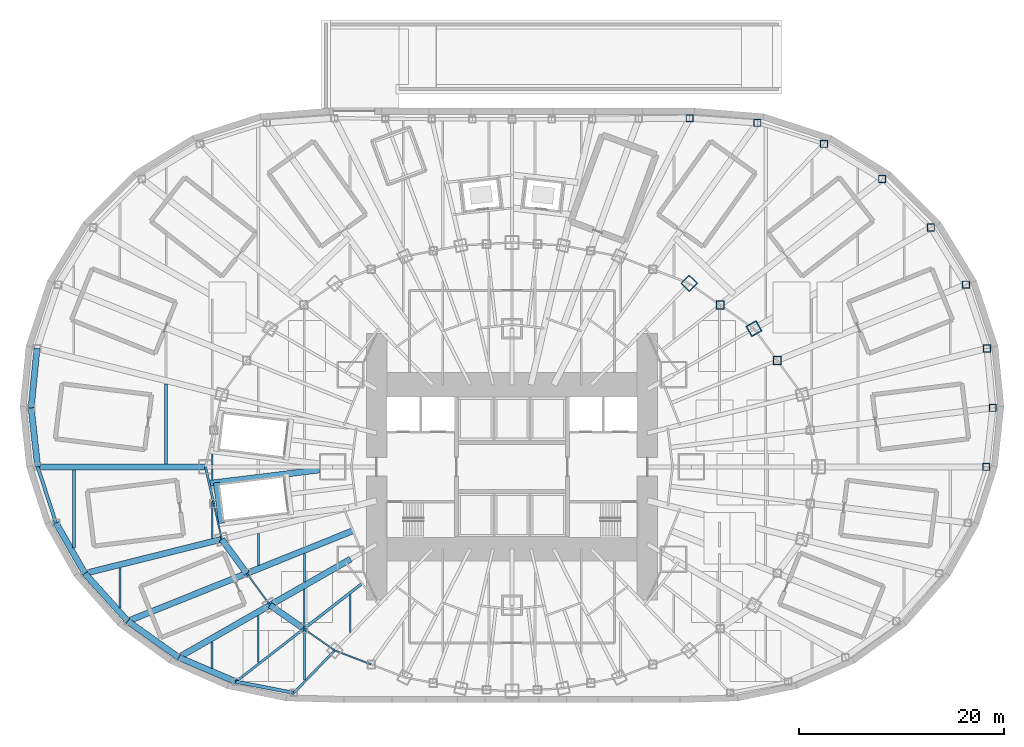
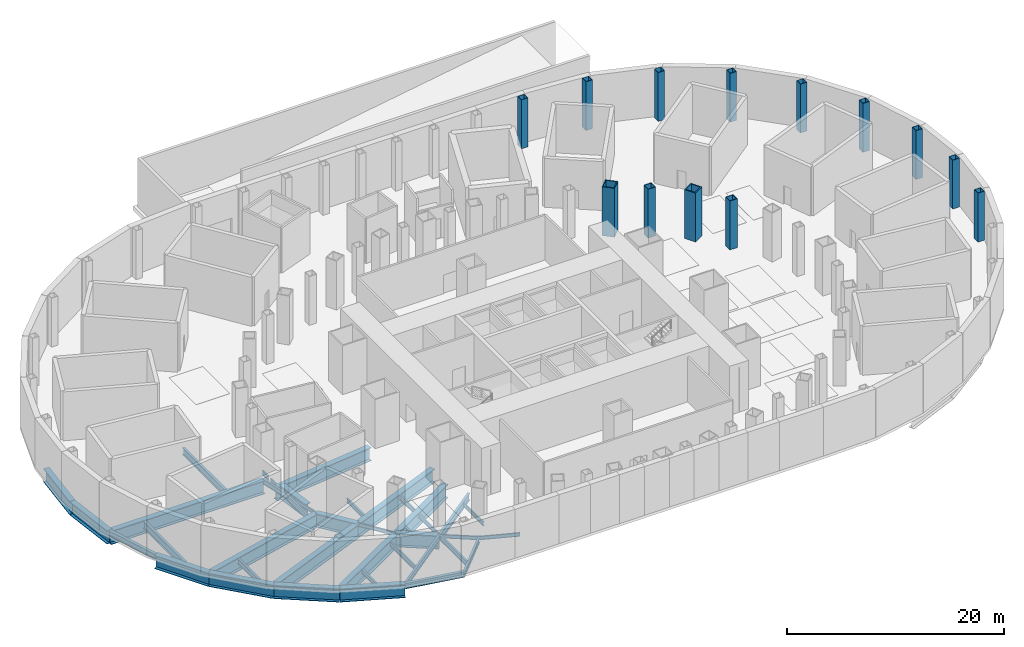
# One storey, part 2 of 19: 39 beams, 13 columns.
"""IFC4 building model written with IfcOpenShell, lengths in metres."""

from ifc_helpers import new_model, si_unit, direction, frame, origin, origin_2d, place, context, subcontext, project, spatial, rectangle, hollow_rectangle, i_section, extrude, material, material_profile, profile_set, type_object, element, save


model = new_model("IFC4")

# Units and contexts
model_context = context("Model", 3, precision=1e-05, world=origin(), true_north=direction((0.0, 1.0)))
body_context = subcontext(model_context, "Body", "Model", "MODEL_VIEW")
ifc_project = project(units=[si_unit("LENGTHUNIT", "METRE"), si_unit("AREAUNIT", "SQUARE_METRE"), si_unit("VOLUMEUNIT", "CUBIC_METRE"), si_unit("PLANEANGLEUNIT", "RADIAN"), si_unit("MASSUNIT", "GRAM", prefix="KILO")], contexts=[model_context])

# Site, building, storey
site_placement = place(None, origin())
site = spatial("IfcSite", under=ifc_project, at=site_placement, CompositionType="ELEMENT")
building_placement = place(site_placement, origin())
building = spatial("IfcBuilding", under=site, at=building_placement, Name="Lantaw Convention Tower", CompositionType="ELEMENT")
storey_placement = place(building_placement, frame((0.0, 0.0, -5.5)))
storey = spatial("IfcBuildingStorey", under=building, at=storey_placement, Name="B1", CompositionType="ELEMENT", Elevation=-5.5)

# Columns
ifc_material_1 = material(Name="Steel EN 10025-3 S460N", Category="steel")
ifc_material_profile_1 = material_profile(ifc_material_1, hollow_rectangle(XDim=1.199951171875, YDim=1.199951171875, WallThickness=0.10009765625, at=origin_2d()), Name="BOX1200X100")
ifc_material_2 = material(Name="Concrete C60/75", Category="concrete")
ifc_material_profile_2 = material_profile(ifc_material_2, rectangle(XDim=1.0, YDim=1.0, at=origin_2d()), Name="Concrete fill of BOX1200X100")
ifc_profile_set_1 = profile_set([ifc_material_profile_1, ifc_material_profile_2], Name="Steel EN 10025-3 S460N")
column_type_1 = type_object("IfcColumnType", Name="Column PC BOX1200X100", PredefinedType="COLUMN", material=ifc_profile_set_1)
column_1_placement = place(storey_placement, frame((17.290771484375, 17.9052734375, 0.0), z_axis=(0.0, 0.0, 1.0), x_axis=(0.694658370459, 0.719339800339, 0.0)))
element("IfcColumn", 1, at=column_1_placement, inside=storey, type_object=column_type_1, Name="Perimeter column P4", PredefinedType="COLUMN", context=body_context, shape_type="SweptSolid", body=[
    extrude(hollow_rectangle(XDim=1.199951171875, YDim=1.199951171875, WallThickness=0.10009765625, at=origin_2d()), origin(), (0.0, 0.0, 1.0), 5.5),
])
ifc_material_profile_3 = material_profile(ifc_material_1, hollow_rectangle(XDim=1.199951171875, YDim=1.199951171875, WallThickness=0.1201171875, at=origin_2d()), Name="BOX1200X120")
ifc_material_profile_4 = material_profile(ifc_material_2, rectangle(XDim=0.9599609375, YDim=0.9599609375, at=origin_2d()), Name="Concrete fill of BOX1200X120")
ifc_profile_set_2 = profile_set([ifc_material_profile_3, ifc_material_profile_4], Name="Steel EN 10025-3 S460N")
column_type_2 = type_object("IfcColumnType", Name="Column PC BOX1200X120", PredefinedType="COLUMN", material=ifc_profile_set_2)
column_2_placement = place(storey_placement, frame((23.60498046875, 13.488525390625, 0.0), z_axis=(0.0, 0.0, 1.0), x_axis=(0.86824298017, 0.496139221777, 0.0)))
element("IfcColumn", 2, at=column_2_placement, inside=storey, type_object=column_type_2, Name="Perimeter column P3", PredefinedType="COLUMN", context=body_context, shape_type="SweptSolid", body=[
    extrude(hollow_rectangle(XDim=1.199951171875, YDim=1.199951171875, WallThickness=0.1201171875, at=origin_2d()), origin(), (0.0, 0.0, 1.0), 5.5),
])
ifc_material_3 = material(Name="Steel ASTM A572 Grade 50", Category="steel")
ifc_material_profile_5 = material_profile(ifc_material_3, hollow_rectangle(XDim=0.800048828125, YDim=0.800048828125, WallThickness=0.050048828125, at=origin_2d()), Name="BOX800X50")
ifc_profile_set_3 = profile_set([ifc_material_profile_5], Name="Steel ASTM A572 Grade 50")
column_type_3 = type_object("IfcColumnType", Name="Column QC BOX800X50", PredefinedType="COLUMN", material=ifc_profile_set_3)
for number, where, z_axis, x_axis, name in (
    (3, (25.8779296875, 10.388427734375, 0.0), (0.0, 0.0, 1.0), (1.0, 0.0, 0.0), "Podium ring column Q2"),
    (4, (20.30859375, 15.794189453125, 0.0), (0.0, 0.0, 1.0), (1.0, 0.0, 0.0), "Podium ring column Q3"),
):
    element("IfcColumn", number, at=place(storey_placement, frame(where, z_axis=z_axis, x_axis=x_axis)), inside=storey, type_object=column_type_3, Name=name, PredefinedType="COLUMN", context=body_context, shape_type="SweptSolid", body=[
        extrude(hollow_rectangle(XDim=0.800048828125, YDim=0.800048828125, WallThickness=0.050048828125, at=origin_2d()), origin(), (0.0, 0.0, 1.0), 5.5),
    ])
ifc_material_profile_6 = material_profile(ifc_material_3, hollow_rectangle(XDim=0.699951171875, YDim=0.699951171875, WallThickness=0.0400390625, at=origin_2d()), Name="BOX700X40")
ifc_profile_set_4 = profile_set([ifc_material_profile_6], Name="Steel ASTM A572 Grade 50")
column_type_4 = type_object("IfcColumnType", Name="Column RC BOX700X40", PredefinedType="COLUMN", material=ifc_profile_set_4)
for number, where, z_axis, x_axis, name in (
    (5, (46.907958984375, 5.759521484375, 0.0), (0.0, 0.0, 1.0), (1.0, 0.0, 0.0), "Podium column B00"),
    (6, (44.29248046875, 17.78076171875, 0.0), (0.0, 0.0, 1.0), (1.0, 0.0, 0.0), "Podium column B01"),
    (7, (36.107666015625, 28.081298828125, 0.0), (0.0, 0.0, 1.0), (1.0, 0.0, 0.0), "Podium column B02"),
    (8, (23.940185546875, 33.562744140625, 0.0), (0.0, 0.0, 1.0), (1.0, 0.0, 0.0), "Podium column B03"),
    (9, (46.2724609375, 0.0, 0.0), (0.0, 0.0, 1.0), (1.0, 0.0, 0.0), "Podium column R00"),
    (10, (46.342529296875, 11.554443359375, 0.0), (0.0, 0.0, 1.0), (1.0, 0.0, 0.0), "Podium column R01"),
    (11, (40.864013671875, 23.350830078125, 0.0), (0.0, 0.0, 1.0), (1.0, 0.0, 0.0), "Podium column R02"),
    (12, (30.43603515625, 31.517578125, 0.0), (0.0, 0.0, 1.0), (1.0, 0.0, 0.0), "Podium column R03"),
    (13, (17.333984375, 34.019775390625, 0.0), (0.0, 0.0, 1.0), (1.0, 0.0, 0.0), "Podium column R04"),
):
    element("IfcColumn", number, at=place(storey_placement, frame(where, z_axis=z_axis, x_axis=x_axis)), inside=storey, type_object=column_type_4, Name=name, PredefinedType="COLUMN", context=body_context, shape_type="SweptSolid", body=[
        extrude(hollow_rectangle(XDim=0.699951171875, YDim=0.699951171875, WallThickness=0.0400390625, at=origin_2d()), origin(), (0.0, 0.0, 1.0), 5.5),
    ])

# Beams
ifc_material_profile_7 = material_profile(ifc_material_3, i_section(OverallWidth=0.60009765625, OverallDepth=1.5, WebThickness=0.02490234375, FlangeThickness=0.06005859375, at=origin_2d()), Name="PG1500X600X25X60")
ifc_profile_set_5 = profile_set([ifc_material_profile_7], Name="Steel ASTM A572 Grade 50")
beam_type_1 = type_object("IfcBeamType", Name="Beam E PG1500X600X25X60", PredefinedType="SPANDREL", material=ifc_profile_set_5)
beam_1_placement = place(storey_placement, frame((-28.31787109375, -7.060302734375, -1.050048828125), z_axis=(0.591255937291, -0.806483984105, 0.0), x_axis=(0.806483984105, 0.591255937291, 0.0)))
element("IfcBeam", 14, at=beam_1_placement, inside=storey, type_object=beam_type_1, Name="Edge beam 14", PredefinedType="SPANDREL", context=body_context, shape_type="SweptSolid", body=[
    extrude(i_section(OverallWidth=0.60009765625, OverallDepth=1.5, WebThickness=0.02490234375, FlangeThickness=0.06005859375, at=origin_2d()), origin(), (0.0, 0.0, 1.0), 4.126708984375),
])
beam_2_placement = place(storey_placement, frame((-23.60498046875, -13.488525390625, -1.050048828125), z_axis=(0.819442856133, -0.573160889744, 0.0), x_axis=(0.573160889744, 0.819442856133, 0.0)))
element("IfcBeam", 15, at=beam_2_placement, inside=storey, type_object=beam_type_1, Name="Edge beam 15", PredefinedType="SPANDREL", context=body_context, shape_type="SweptSolid", body=[
    extrude(i_section(OverallWidth=0.60009765625, OverallDepth=1.5, WebThickness=0.02490234375, FlangeThickness=0.06005859375, at=origin_2d()), origin(), (0.0, 0.0, 1.0), 4.022705078125),
])
beam_3_placement = place(storey_placement, frame((-46.342529296875, 11.554443359375, -1.050048828125), z_axis=(-0.097112121047, -0.995273447825, 0.0), x_axis=(0.995273447825, -0.097112121047, 0.0)))
element("IfcBeam", 16, at=beam_3_placement, inside=storey, type_object=beam_type_1, Name="Podium edge beam R11", PredefinedType="SPANDREL", context=body_context, shape_type="SweptSolid", body=[
    extrude(i_section(OverallWidth=0.60009765625, OverallDepth=1.5, WebThickness=0.02490234375, FlangeThickness=0.06005859375, at=origin_2d()), origin(), (0.0, 0.0, 1.0), 5.822509765625),
])
beam_4_placement = place(storey_placement, frame((-46.907958984375, 5.759521484375, -1.050048828125), z_axis=(0.109673093737, -0.993967712006, 0.0), x_axis=(0.993967712006, 0.109673093737, 0.0)))
element("IfcBeam", 17, at=beam_4_placement, inside=storey, type_object=beam_type_1, Name="Podium edge beam B11", PredefinedType="SPANDREL", context=body_context, shape_type="SweptSolid", body=[
    extrude(i_section(OverallWidth=0.60009765625, OverallDepth=1.5, WebThickness=0.02490234375, FlangeThickness=0.06005859375, at=origin_2d()), origin(), (0.0, 0.0, 1.0), 5.79443359375),
])
beam_5_placement = place(storey_placement, frame((-44.488525390625, -5.46240234375, -1.050048828125), z_axis=(0.496180629465, -0.868219317306, 0.0), x_axis=(0.868219317306, 0.496180629465, 0.0)))
element("IfcBeam", 18, at=beam_5_placement, inside=storey, type_object=beam_type_1, Name="Podium edge beam B12", PredefinedType="SPANDREL", context=body_context, shape_type="SweptSolid", body=[
    extrude(i_section(OverallWidth=0.60009765625, OverallDepth=1.5, WebThickness=0.02490234375, FlangeThickness=0.06005859375, at=origin_2d()), origin(), (0.0, 0.0, 1.0), 5.67578125),
])
beam_6_placement = place(storey_placement, frame((-41.67236328125, -10.39013671875, -1.050048828125), z_axis=(0.668363614772, -0.74383471178, 0.0), x_axis=(0.74383471178, 0.668363614772, 0.0)))
element("IfcBeam", 19, at=beam_6_placement, inside=storey, type_object=beam_type_1, Name="Podium edge beam R13", PredefinedType="SPANDREL", context=body_context, shape_type="SweptSolid", body=[
    extrude(i_section(OverallWidth=0.60009765625, OverallDepth=1.5, WebThickness=0.02490234375, FlangeThickness=0.06005859375, at=origin_2d()), origin(), (0.0, 0.0, 1.0), 6.2626953125),
])
beam_7_placement = place(storey_placement, frame((-37.486572265625, -15.048583984375, -1.050048828125), z_axis=(0.814722795246, -0.579850641895, 0.0), x_axis=(0.579850641895, 0.814722795246, 0.0)))
element("IfcBeam", 20, at=beam_7_placement, inside=storey, type_object=beam_type_1, Name="Podium edge beam B13", PredefinedType="SPANDREL", context=body_context, shape_type="SweptSolid", body=[
    extrude(i_section(OverallWidth=0.60009765625, OverallDepth=1.5, WebThickness=0.02490234375, FlangeThickness=0.06005859375, at=origin_2d()), origin(), (0.0, 0.0, 1.0), 6.095458984375),
])
beam_8_placement = place(storey_placement, frame((-32.5205078125, -18.5830078125, -1.050048828125), z_axis=(0.920324392734, -0.391155994636, 0.0), x_axis=(0.391155994636, 0.920324392734, 0.0)))
element("IfcBeam", 21, at=beam_8_placement, inside=storey, type_object=beam_type_1, Name="Podium edge beam R14", PredefinedType="SPANDREL", context=body_context, shape_type="SweptSolid", body=[
    extrude(i_section(OverallWidth=0.60009765625, OverallDepth=1.5, WebThickness=0.02490234375, FlangeThickness=0.06005859375, at=origin_2d()), origin(), (0.0, 0.0, 1.0), 6.060546875),
])
ifc_material_4 = material(Name="Steel ASTM A992", Category="steel")
ifc_material_profile_8 = material_profile(ifc_material_4, i_section(OverallWidth=0.140380859375, OverallDepth=0.40380859375, WebThickness=0.007080078125, FlangeThickness=0.01123046875, FilletRadius=0.01025390625, at=origin_2d()), Name="W16X31")
ifc_profile_set_6 = profile_set([ifc_material_profile_8], Name="Steel ASTM A992")
beam_type_2 = type_object("IfcBeamType", Name="Beam E W16X31", PredefinedType="SPANDREL", material=ifc_profile_set_6)
beam_9_placement = place(storey_placement, frame((-29.099365234375, -3.572998046875, -0.501953125), z_axis=(0.218673326171, -0.97579812278, 0.0), x_axis=(0.97579812278, 0.218673326171, 0.0)))
element("IfcBeam", 22, at=beam_9_placement, inside=storey, type_object=beam_type_2, Name="Edge beam 13", PredefinedType="SPANDREL", context=body_context, shape_type="SweptSolid", body=[
    extrude(i_section(OverallWidth=0.140380859375, OverallDepth=0.40380859375, WebThickness=0.007080078125, FlangeThickness=0.01123046875, FilletRadius=0.01025390625, at=origin_2d()), origin(), (0.0, 0.0, 1.0), 3.57373046875),
])
beam_10_placement = place(storey_placement, frame((-25.8779296875, -10.388427734375, -0.501953125), z_axis=(0.591286566758, -0.806461527893, 0.0), x_axis=(0.806461527893, 0.591286566758, 0.0)))
element("IfcBeam", 23, at=beam_10_placement, inside=storey, type_object=beam_type_2, Name="Edge beam 14", PredefinedType="SPANDREL", context=body_context, shape_type="SweptSolid", body=[
    extrude(i_section(OverallWidth=0.140380859375, OverallDepth=0.40380859375, WebThickness=0.007080078125, FlangeThickness=0.01123046875, FilletRadius=0.01025390625, at=origin_2d()), origin(), (0.0, 0.0, 1.0), 3.843994140625),
])
beam_11_placement = place(storey_placement, frame((-20.30859375, -15.794189453125, -0.501953125), z_axis=(0.819409395821, -0.573208724672, 0.0), x_axis=(0.573208724672, 0.819409395821, 0.0)))
element("IfcBeam", 24, at=beam_11_placement, inside=storey, type_object=beam_type_2, Name="Edge beam 15", PredefinedType="SPANDREL", context=body_context, shape_type="SweptSolid", body=[
    extrude(i_section(OverallWidth=0.140380859375, OverallDepth=0.40380859375, WebThickness=0.007080078125, FlangeThickness=0.01123046875, FilletRadius=0.01025390625, at=origin_2d()), origin(), (0.0, 0.0, 1.0), 3.682861328125),
])
beam_12_placement = place(storey_placement, frame((-17.290771484375, -17.9052734375, -0.501953125), z_axis=(0.933224646415, -0.359293416754, 0.0), x_axis=(0.359293416754, 0.933224646415, 0.0)))
element("IfcBeam", 25, at=beam_12_placement, inside=storey, type_object=beam_type_2, Name="Edge beam 16", PredefinedType="SPANDREL", context=body_context, shape_type="SweptSolid", body=[
    extrude(i_section(OverallWidth=0.140380859375, OverallDepth=0.40380859375, WebThickness=0.007080078125, FlangeThickness=0.01123046875, FilletRadius=0.01025390625, at=origin_2d()), origin(), (0.0, 0.0, 1.0), 3.799072265625),
])
ifc_material_profile_9 = material_profile(ifc_material_4, i_section(OverallWidth=0.2099609375, OverallDepth=0.535888671875, WebThickness=0.010986328125, FlangeThickness=0.017333984375, FilletRadius=0.012939453125, at=origin_2d()), Name="W21X68")
ifc_profile_set_7 = profile_set([ifc_material_profile_9], Name="Steel ASTM A992")
beam_type_3 = type_object("IfcBeamType", Name="Beam E W21X68", PredefinedType="SPANDREL", material=ifc_profile_set_7)
beam_13_placement = place(storey_placement, frame((-29.89990234375, 0.0, -0.56787109375), z_axis=(0.218631550323, -0.975807483679, 0.0), x_axis=(0.975807483679, 0.218631550323, 0.0)))
element("IfcBeam", 26, at=beam_13_placement, inside=storey, type_object=beam_type_3, Name="Edge beam 13", PredefinedType="SPANDREL", context=body_context, shape_type="SweptSolid", body=[
    extrude(i_section(OverallWidth=0.2099609375, OverallDepth=0.535888671875, WebThickness=0.010986328125, FlangeThickness=0.017333984375, FilletRadius=0.012939453125, at=origin_2d()), origin(), (0.0, 0.0, 1.0), 3.66162109375),
])
ifc_material_profile_10 = material_profile(ifc_material_4, i_section(OverallWidth=0.3251953125, OverallDepth=0.612060546875, WebThickness=0.0126953125, FlangeThickness=0.01904296875, FilletRadius=0.0126953125, at=origin_2d()), Name="W24X104")
ifc_profile_set_8 = profile_set([ifc_material_profile_10], Name="Steel ASTM A992")
beam_type_4 = type_object("IfcBeamType", Name="Beam E W24X104", PredefinedType="SPANDREL", material=ifc_profile_set_8)
beam_14_placement = place(storey_placement, frame((-46.2724609375, 0.0, -0.60595703125), z_axis=(0.310448009473, -0.950590360468, 0.0), x_axis=(0.950590360468, 0.310448009473, 0.0)))
element("IfcBeam", 27, at=beam_14_placement, inside=storey, type_object=beam_type_4, Name="Podium edge beam R12", PredefinedType="SPANDREL", context=body_context, shape_type="SweptSolid", body=[
    extrude(i_section(OverallWidth=0.3251953125, OverallDepth=0.612060546875, WebThickness=0.0126953125, FlangeThickness=0.01904296875, FilletRadius=0.0126953125, at=origin_2d()), origin(), (0.0, 0.0, 1.0), 5.746337890625),
])
beam_15_placement = place(storey_placement, frame((-26.94287109375, -20.95361328125, -0.60595703125), z_axis=(0.981786485539, -0.18998762279, 0.0), x_axis=(0.18998762279, 0.981786485539, 0.0)))
element("IfcBeam", 28, at=beam_15_placement, inside=storey, type_object=beam_type_4, Name="Podium edge beam B14", PredefinedType="SPANDREL", context=body_context, shape_type="SweptSolid", body=[
    extrude(i_section(OverallWidth=0.3251953125, OverallDepth=0.612060546875, WebThickness=0.0126953125, FlangeThickness=0.01904296875, FilletRadius=0.0126953125, at=origin_2d()), origin(), (0.0, 0.0, 1.0), 5.7568359375),
])
ifc_material_profile_11 = material_profile(ifc_material_3, i_section(OverallWidth=0.60009765625, OverallDepth=1.5, WebThickness=0.02490234375, FlangeThickness=0.06005859375, at=origin_2d()), Name="PG1500X600X25X60")
ifc_profile_set_9 = profile_set([ifc_material_profile_11], Name="Steel ASTM A572 Grade 50")
beam_type_5 = type_object("IfcBeamType", Name="Beam G PG1500X600X25X60", PredefinedType="BEAM", material=ifc_profile_set_9)
beam_16_placement = place(storey_placement, frame((-15.52001953125, -6.23046875, -1.050048828125), z_axis=(-0.928018900171, -0.372533113864, 0.0), x_axis=(0.372533113864, -0.928018900171, 0.0)))
element("IfcBeam", 29, at=beam_16_placement, inside=storey, type_object=beam_type_5, Name="Floor girder on bisector 14", PredefinedType="BEAM", context=body_context, shape_type="SweptSolid", body=[
    extrude(i_section(OverallWidth=0.60009765625, OverallDepth=1.5, WebThickness=0.02490234375, FlangeThickness=0.06005859375, at=origin_2d()), origin(), (0.0, 0.0, 1.0), 11.161376953125),
])
beam_17_placement = place(storey_placement, frame((-15.75, -9.0, -1.050048828125), z_axis=(-0.868244802791, -0.496136032179, 0.0), x_axis=(0.496136032179, -0.868244802791, 0.0)))
element("IfcBeam", 30, at=beam_17_placement, inside=storey, type_object=beam_type_5, Name="Floor girder on ray 15", PredefinedType="BEAM", context=body_context, shape_type="SweptSolid", body=[
    extrude(i_section(OverallWidth=0.60009765625, OverallDepth=1.5, WebThickness=0.02490234375, FlangeThickness=0.06005859375, at=origin_2d()), origin(), (0.0, 0.0, 1.0), 9.046875),
])
ifc_material_profile_12 = material_profile(ifc_material_4, i_section(OverallWidth=0.2666015625, OverallDepth=0.76953125, WebThickness=0.015625, FlangeThickness=0.025390625, FilletRadius=0.0126953125, at=origin_2d()), Name="W30X132")
ifc_profile_set_10 = profile_set([ifc_material_profile_12], Name="Steel ASTM A992")
beam_type_6 = type_object("IfcBeamType", Name="Beam G W30X132", PredefinedType="BEAM", material=ifc_profile_set_10)
beam_18_placement = place(storey_placement, frame((-14.628173828125, -11.37646484375, -0.684814453125), z_axis=(-0.789377792374, -0.613907729961, 0.0), x_axis=(0.613907729961, -0.789377792374, 0.0)))
element("IfcBeam", 31, at=beam_18_placement, inside=storey, type_object=beam_type_6, Name="Floor girder on bisector 15", PredefinedType="BEAM", context=body_context, shape_type="SweptSolid", body=[
    extrude(i_section(OverallWidth=0.2666015625, OverallDepth=0.76953125, WebThickness=0.015625, FlangeThickness=0.025390625, FilletRadius=0.0126953125, at=origin_2d()), origin(), (0.0, 0.0, 1.0), 7.196044921875),
])
ifc_material_profile_13 = material_profile(ifc_material_4, i_section(OverallWidth=0.15234375, OverallDepth=0.449462890625, WebThickness=0.007568359375, FlangeThickness=0.0107421875, FilletRadius=0.01025390625, at=origin_2d()), Name="W18X35")
ifc_profile_set_11 = profile_set([ifc_material_profile_13], Name="Steel ASTM A992")
beam_type_7 = type_object("IfcBeamType", Name="Beam J W18X35", PredefinedType="JOIST", material=ifc_profile_set_11)
beam_19_placement = place(storey_placement, frame((-29.25, -1.274169921875, -0.52490234375), z_axis=(0.0, 1.0, 0.0), x_axis=(-1.0, 0.0, 0.0)))
element("IfcBeam", 32, at=beam_19_placement, inside=storey, type_object=beam_type_7, Name="Floor joist", PredefinedType="JOIST", context=body_context, shape_type="SweptSolid", body=[
    extrude(i_section(OverallWidth=0.15234375, OverallDepth=0.449462890625, WebThickness=0.007568359375, FlangeThickness=0.0107421875, FilletRadius=0.01025390625, at=origin_2d()), origin(), (0.0, 0.0, 1.0), 1.072265625),
])
beam_20_placement = place(storey_placement, frame((-20.25, -15.57958984375, -0.52490234375), z_axis=(0.0, 1.0, 0.0), x_axis=(-1.0, 0.0, 0.0)))
element("IfcBeam", 33, at=beam_20_placement, inside=storey, type_object=beam_type_7, Name="Floor joist", PredefinedType="JOIST", context=body_context, shape_type="SweptSolid", body=[
    extrude(i_section(OverallWidth=0.15234375, OverallDepth=0.449462890625, WebThickness=0.007568359375, FlangeThickness=0.0107421875, FilletRadius=0.01025390625, at=origin_2d()), origin(), (0.0, 0.0, 1.0), 3.66259765625),
])
beam_21_placement = place(storey_placement, frame((-15.800048828125, -16.151123046875, -0.52490234375), z_axis=(0.0, 1.0, 0.0), x_axis=(-1.0, 0.0, 0.0)))
element("IfcBeam", 34, at=beam_21_placement, inside=storey, type_object=beam_type_7, Name="Floor joist", PredefinedType="JOIST", context=body_context, shape_type="SweptSolid", body=[
    extrude(i_section(OverallWidth=0.15234375, OverallDepth=0.449462890625, WebThickness=0.007568359375, FlangeThickness=0.0107421875, FilletRadius=0.01025390625, at=origin_2d()), origin(), (0.0, 0.0, 1.0), 3.6943359375),
])
ifc_material_profile_14 = material_profile(ifc_material_4, i_section(OverallWidth=0.1904296875, OverallDepth=0.457275390625, WebThickness=0.009033203125, FlangeThickness=0.014404296875, FilletRadius=0.01025390625, at=origin_2d()), Name="W18X50")
ifc_profile_set_12 = profile_set([ifc_material_profile_14], Name="Steel ASTM A992")
beam_type_8 = type_object("IfcBeamType", Name="Beam J W18X50", PredefinedType="JOIST", material=ifc_profile_set_12)
beam_22_placement = place(storey_placement, frame((-29.25, -19.647216796875, -0.528564453125), z_axis=(0.0, 1.0, 0.0), x_axis=(-1.0, 0.0, 0.0)))
element("IfcBeam", 35, at=beam_22_placement, inside=storey, type_object=beam_type_8, Name="Floor joist", PredefinedType="JOIST", context=body_context, shape_type="SweptSolid", body=[
    extrude(i_section(OverallWidth=0.1904296875, OverallDepth=0.457275390625, WebThickness=0.009033203125, FlangeThickness=0.014404296875, FilletRadius=0.01025390625, at=origin_2d()), origin(), (0.0, 0.0, 1.0), 2.58740234375),
])
beam_23_placement = place(storey_placement, frame((-24.75, -9.6123046875, -0.528564453125), z_axis=(0.0, 1.0, 0.0), x_axis=(-1.0, 0.0, 0.0)))
element("IfcBeam", 36, at=beam_23_placement, inside=storey, type_object=beam_type_8, Name="Floor joist", PredefinedType="JOIST", context=body_context, shape_type="SweptSolid", body=[
    extrude(i_section(OverallWidth=0.1904296875, OverallDepth=0.457275390625, WebThickness=0.009033203125, FlangeThickness=0.014404296875, FilletRadius=0.01025390625, at=origin_2d()), origin(), (0.0, 0.0, 1.0), 3.13232421875),
])
ifc_material_profile_15 = material_profile(ifc_material_4, i_section(OverallWidth=0.1650390625, OverallDepth=0.52587890625, WebThickness=0.0087890625, FlangeThickness=0.011474609375, FilletRadius=0.0126953125, at=origin_2d()), Name="W21X44")
ifc_profile_set_13 = profile_set([ifc_material_profile_15], Name="Steel ASTM A992")
beam_type_9 = type_object("IfcBeamType", Name="Beam J W21X44", PredefinedType="JOIST", material=ifc_profile_set_13)
beam_24_placement = place(storey_placement, frame((-29.25, 0.201904296875, -0.56298828125), z_axis=(0.0, 1.0, 0.0), x_axis=(-1.0, 0.0, 0.0)))
element("IfcBeam", 37, at=beam_24_placement, inside=storey, type_object=beam_type_9, Name="Floor joist", PredefinedType="JOIST", context=body_context, shape_type="SweptSolid", body=[
    extrude(i_section(OverallWidth=0.1650390625, OverallDepth=0.52587890625, WebThickness=0.0087890625, FlangeThickness=0.011474609375, FilletRadius=0.0126953125, at=origin_2d()), origin(), (0.0, 0.0, 1.0), 1.072265625),
])
beam_25_placement = place(storey_placement, frame((-24.75, -19.10400390625, -0.56298828125), z_axis=(0.0, 1.0, 0.0), x_axis=(-1.0, 0.0, 0.0)))
element("IfcBeam", 38, at=beam_25_placement, inside=storey, type_object=beam_type_9, Name="Floor joist", PredefinedType="JOIST", context=body_context, shape_type="SweptSolid", body=[
    extrude(i_section(OverallWidth=0.1650390625, OverallDepth=0.52587890625, WebThickness=0.0087890625, FlangeThickness=0.011474609375, FilletRadius=0.0126953125, at=origin_2d()), origin(), (0.0, 0.0, 1.0), 4.61572265625),
])
beam_26_placement = place(storey_placement, frame((-20.25, -11.225830078125, -0.56298828125), z_axis=(0.0, 1.0, 0.0), x_axis=(-1.0, 0.0, 0.0)))
element("IfcBeam", 39, at=beam_26_placement, inside=storey, type_object=beam_type_9, Name="Floor joist", PredefinedType="JOIST", context=body_context, shape_type="SweptSolid", body=[
    extrude(i_section(OverallWidth=0.1650390625, OverallDepth=0.52587890625, WebThickness=0.0087890625, FlangeThickness=0.011474609375, FilletRadius=0.0126953125, at=origin_2d()), origin(), (0.0, 0.0, 1.0), 2.7734375),
])
ifc_material_profile_16 = material_profile(ifc_material_4, i_section(OverallWidth=0.177978515625, OverallDepth=0.599365234375, WebThickness=0.010009765625, FlangeThickness=0.012939453125, FilletRadius=0.012939453125, at=origin_2d()), Name="W24X55")
ifc_profile_set_14 = profile_set([ifc_material_profile_16], Name="Steel ASTM A992")
beam_type_10 = type_object("IfcBeamType", Name="Beam J W24X55", PredefinedType="JOIST", material=ifc_profile_set_14)
beam_27_placement = place(storey_placement, frame((-29.25, -6.983642578125, -0.599609375), z_axis=(0.0, 1.0, 0.0), x_axis=(-1.0, 0.0, 0.0)))
element("IfcBeam", 40, at=beam_27_placement, inside=storey, type_object=beam_type_10, Name="Floor joist", PredefinedType="JOIST", context=body_context, shape_type="SweptSolid", body=[
    extrude(i_section(OverallWidth=0.177978515625, OverallDepth=0.599365234375, WebThickness=0.010009765625, FlangeThickness=0.012939453125, FilletRadius=0.012939453125, at=origin_2d()), origin(), (0.0, 0.0, 1.0), 3.602783203125),
])
beam_28_placement = place(storey_placement, frame((-20.25, -20.805419921875, -0.599609375), z_axis=(0.0, 1.0, 0.0), x_axis=(-1.0, 0.0, 0.0)))
element("IfcBeam", 41, at=beam_28_placement, inside=storey, type_object=beam_type_10, Name="Floor joist", PredefinedType="JOIST", context=body_context, shape_type="SweptSolid", body=[
    extrude(i_section(OverallWidth=0.177978515625, OverallDepth=0.599365234375, WebThickness=0.010009765625, FlangeThickness=0.012939453125, FilletRadius=0.012939453125, at=origin_2d()), origin(), (0.0, 0.0, 1.0), 4.884521484375),
])
ifc_material_profile_17 = material_profile(ifc_material_4, i_section(OverallWidth=0.22900390625, OverallDepth=0.612060546875, WebThickness=0.011962890625, FlangeThickness=0.01953125, FilletRadius=0.0126953125, at=origin_2d()), Name="W24X84")
ifc_profile_set_15 = profile_set([ifc_material_profile_17], Name="Steel ASTM A992")
beam_type_11 = type_object("IfcBeamType", Name="Beam J W24X84", PredefinedType="JOIST", material=ifc_profile_set_15)
beam_29_placement = place(storey_placement, frame((-38.25, -13.75, -0.60595703125), z_axis=(0.0, 1.0, 0.0), x_axis=(-1.0, 0.0, 0.0)))
element("IfcBeam", 42, at=beam_29_placement, inside=storey, type_object=beam_type_11, Name="Floor joist", PredefinedType="JOIST", context=body_context, shape_type="SweptSolid", body=[
    extrude(i_section(OverallWidth=0.22900390625, OverallDepth=0.612060546875, WebThickness=0.011962890625, FlangeThickness=0.01953125, FilletRadius=0.0126953125, at=origin_2d()), origin(), (0.0, 0.0, 1.0), 3.904052734375),
])
ifc_material_profile_18 = material_profile(ifc_material_4, i_section(OverallWidth=0.2666015625, OverallDepth=0.76953125, WebThickness=0.015625, FlangeThickness=0.025390625, FilletRadius=0.0126953125, at=origin_2d()), Name="W30X132")
ifc_profile_set_16 = profile_set([ifc_material_profile_18], Name="Steel ASTM A992")
beam_type_12 = type_object("IfcBeamType", Name="Beam J W30X132", PredefinedType="JOIST", material=ifc_profile_set_16)
beam_30_placement = place(storey_placement, frame((-33.75, 0.300048828125, -0.684814453125), z_axis=(0.0, 1.0, 0.0), x_axis=(-1.0, 0.0, 0.0)))
element("IfcBeam", 43, at=beam_30_placement, inside=storey, type_object=beam_type_12, Name="Floor joist", PredefinedType="JOIST", context=body_context, shape_type="SweptSolid", body=[
    extrude(i_section(OverallWidth=0.2666015625, OverallDepth=0.76953125, WebThickness=0.015625, FlangeThickness=0.025390625, FilletRadius=0.0126953125, at=origin_2d()), origin(), (0.0, 0.0, 1.0), 7.8056640625),
])
ifc_material_profile_19 = material_profile(ifc_material_4, i_section(OverallWidth=0.2919921875, OverallDepth=0.845703125, WebThickness=0.015380859375, FlangeThickness=0.0244140625, FilletRadius=0.01513671875, at=origin_2d()), Name="W33X141")
ifc_profile_set_17 = profile_set([ifc_material_profile_19], Name="Steel ASTM A992")
beam_type_13 = type_object("IfcBeamType", Name="Beam J W33X141", PredefinedType="JOIST", material=ifc_profile_set_17)
beam_31_placement = place(storey_placement, frame((-42.75, -7.89990234375, -0.722900390625), z_axis=(0.0, 1.0, 0.0), x_axis=(-1.0, 0.0, 0.0)))
element("IfcBeam", 44, at=beam_31_placement, inside=storey, type_object=beam_type_13, Name="Floor joist", PredefinedType="JOIST", context=body_context, shape_type="SweptSolid", body=[
    extrude(i_section(OverallWidth=0.2919921875, OverallDepth=0.845703125, WebThickness=0.015380859375, FlangeThickness=0.0244140625, FilletRadius=0.01513671875, at=origin_2d()), origin(), (0.0, 0.0, 1.0), 7.599853515625),
])
ifc_material_profile_20 = material_profile(ifc_material_3, i_section(OverallWidth=0.60009765625, OverallDepth=1.5, WebThickness=0.02490234375, FlangeThickness=0.06005859375, at=origin_2d()), Name="PG1500X600X25X60")
ifc_profile_set_18 = profile_set([ifc_material_profile_20], Name="Steel ASTM A572 Grade 50")
beam_type_14 = type_object("IfcBeamType", Name="Beam PG PG1500X600X25X60", PredefinedType="BEAM", material=ifc_profile_set_18)
beam_32_placement = place(storey_placement, frame((-29.89990234375, 0.0, -1.050048828125), z_axis=(-1.0, 0.0, 0.0), x_axis=(0.0, -1.0, 0.0)))
element("IfcBeam", 45, at=beam_32_placement, inside=storey, type_object=beam_type_14, Name="Podium girder PR13", PredefinedType="BEAM", context=body_context, shape_type="SweptSolid", body=[
    extrude(i_section(OverallWidth=0.60009765625, OverallDepth=1.5, WebThickness=0.02490234375, FlangeThickness=0.06005859375, at=origin_2d()), origin(), (0.0, 0.0, 1.0), 16.37255859375),
])
beam_33_placement = place(storey_placement, frame((-28.31787109375, -7.060302734375, -1.050048828125), z_axis=(-0.97029256898, -0.24193455847, 0.0), x_axis=(0.24193455847, -0.97029256898, 0.0)))
element("IfcBeam", 46, at=beam_33_placement, inside=storey, type_object=beam_type_14, Name="Podium girder PR14", PredefinedType="BEAM", context=body_context, shape_type="SweptSolid", body=[
    extrude(i_section(OverallWidth=0.60009765625, OverallDepth=1.5, WebThickness=0.02490234375, FlangeThickness=0.06005859375, at=origin_2d()), origin(), (0.0, 0.0, 1.0), 13.763427734375),
])
beam_34_placement = place(storey_placement, frame((-23.60498046875, -13.488525390625, -1.050048828125), z_axis=(-0.868247531483, -0.4961312569, 0.0), x_axis=(0.4961312569, -0.868247531483, 0.0)))
element("IfcBeam", 47, at=beam_34_placement, inside=storey, type_object=beam_type_14, Name="Podium girder PR15", PredefinedType="BEAM", context=body_context, shape_type="SweptSolid", body=[
    extrude(i_section(OverallWidth=0.60009765625, OverallDepth=1.5, WebThickness=0.02490234375, FlangeThickness=0.06005859375, at=origin_2d()), origin(), (0.0, 0.0, 1.0), 10.268310546875),
])
beam_35_placement = place(storey_placement, frame((-25.8779296875, -10.388427734375, -1.050048828125), z_axis=(-0.928015644767, -0.372541223313, 0.0), x_axis=(0.372541223313, -0.928015644767, 0.0)))
element("IfcBeam", 48, at=beam_35_placement, inside=storey, type_object=beam_type_14, Name="Podium girder PB14", PredefinedType="BEAM", context=body_context, shape_type="SweptSolid", body=[
    extrude(i_section(OverallWidth=0.60009765625, OverallDepth=1.5, WebThickness=0.02490234375, FlangeThickness=0.06005859375, at=origin_2d()), origin(), (0.0, 0.0, 1.0), 12.509033203125),
])
ifc_material_profile_21 = material_profile(ifc_material_4, i_section(OverallWidth=0.227783203125, OverallDepth=0.60205078125, WebThickness=0.010498046875, FlangeThickness=0.014892578125, FilletRadius=0.012939453125, at=origin_2d()), Name="W24X68")
ifc_profile_set_19 = profile_set([ifc_material_profile_21], Name="Steel ASTM A992")
beam_type_15 = type_object("IfcBeamType", Name="Beam PG W24X68", PredefinedType="BEAM", material=ifc_profile_set_19)
beam_36_placement = place(storey_placement, frame((-17.290771484375, -17.9052734375, -0.60107421875), z_axis=(-0.694661096328, -0.719337167987, 0.0), x_axis=(0.719337167987, -0.694661096328, 0.0)))
element("IfcBeam", 49, at=beam_36_placement, inside=storey, type_object=beam_type_15, Name="Podium girder PR16", PredefinedType="BEAM", context=body_context, shape_type="SweptSolid", body=[
    extrude(i_section(OverallWidth=0.227783203125, OverallDepth=0.60205078125, WebThickness=0.010498046875, FlangeThickness=0.014892578125, FilletRadius=0.012939453125, at=origin_2d()), origin(), (0.0, 0.0, 1.0), 5.75830078125),
])
beam_37_placement = place(storey_placement, frame((-20.30859375, -15.794189453125, -0.60107421875), z_axis=(-0.789385064276, -0.613898379456, 0.0), x_axis=(0.613898379456, -0.789385064276, 0.0)))
element("IfcBeam", 50, at=beam_37_placement, inside=storey, type_object=beam_type_15, Name="Podium girder PB15", PredefinedType="BEAM", context=body_context, shape_type="SweptSolid", body=[
    extrude(i_section(OverallWidth=0.227783203125, OverallDepth=0.60205078125, WebThickness=0.010498046875, FlangeThickness=0.014892578125, FilletRadius=0.012939453125, at=origin_2d()), origin(), (0.0, 0.0, 1.0), 8.404296875),
])
ifc_material_profile_22 = material_profile(ifc_material_3, i_section(OverallWidth=0.60009765625, OverallDepth=1.5, WebThickness=0.02490234375, FlangeThickness=0.06005859375, at=origin_2d()), Name="PG1500X600X25X60")
ifc_profile_set_20 = profile_set([ifc_material_profile_22], Name="Steel ASTM A572 Grade 50")
beam_type_16 = type_object("IfcBeamType", Name="Beam TR PG1500X600X25X60", PredefinedType="BEAM", material=ifc_profile_set_20)
beam_38_placement = place(storey_placement, frame((-29.538818359375, -1.61181640625, -1.050048828125), z_axis=(0.992545610363, 0.121873751684, 0.0), x_axis=(-0.121873751684, 0.992545610363, 0.0)))
element("IfcBeam", 51, at=beam_38_placement, inside=storey, type_object=beam_type_16, Name="Opening trimmer beam", PredefinedType="BEAM", context=body_context, shape_type="SweptSolid", body=[
    extrude(i_section(OverallWidth=0.60009765625, OverallDepth=1.5, WebThickness=0.02490234375, FlangeThickness=0.06005859375, at=origin_2d()), origin(), (0.0, 0.0, 1.0), 10.8193359375),
])
beam_39_placement = place(storey_placement, frame((-28.341552734375, -5.494873046875, -1.050048828125), z_axis=(-0.12188602716, 0.992544102991, 0.0), x_axis=(-0.992544102991, -0.12188602716, 0.0)))
element("IfcBeam", 52, at=beam_39_placement, inside=storey, type_object=beam_type_16, Name="Opening header beam", PredefinedType="BEAM", context=body_context, shape_type="SweptSolid", body=[
    extrude(i_section(OverallWidth=0.60009765625, OverallDepth=1.5, WebThickness=0.02490234375, FlangeThickness=0.06005859375, at=origin_2d()), origin(), (0.0, 0.0, 1.0), 4.0),
])

save(model, "model.ifc")
